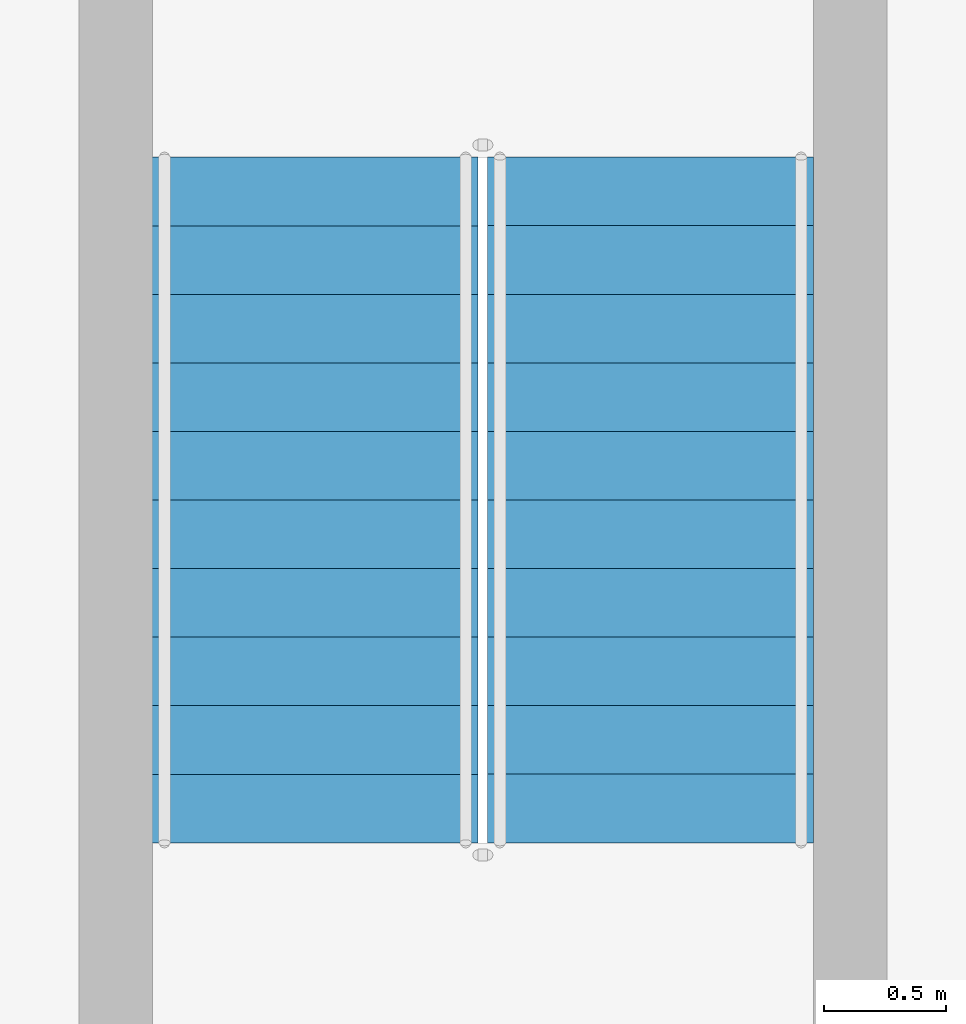
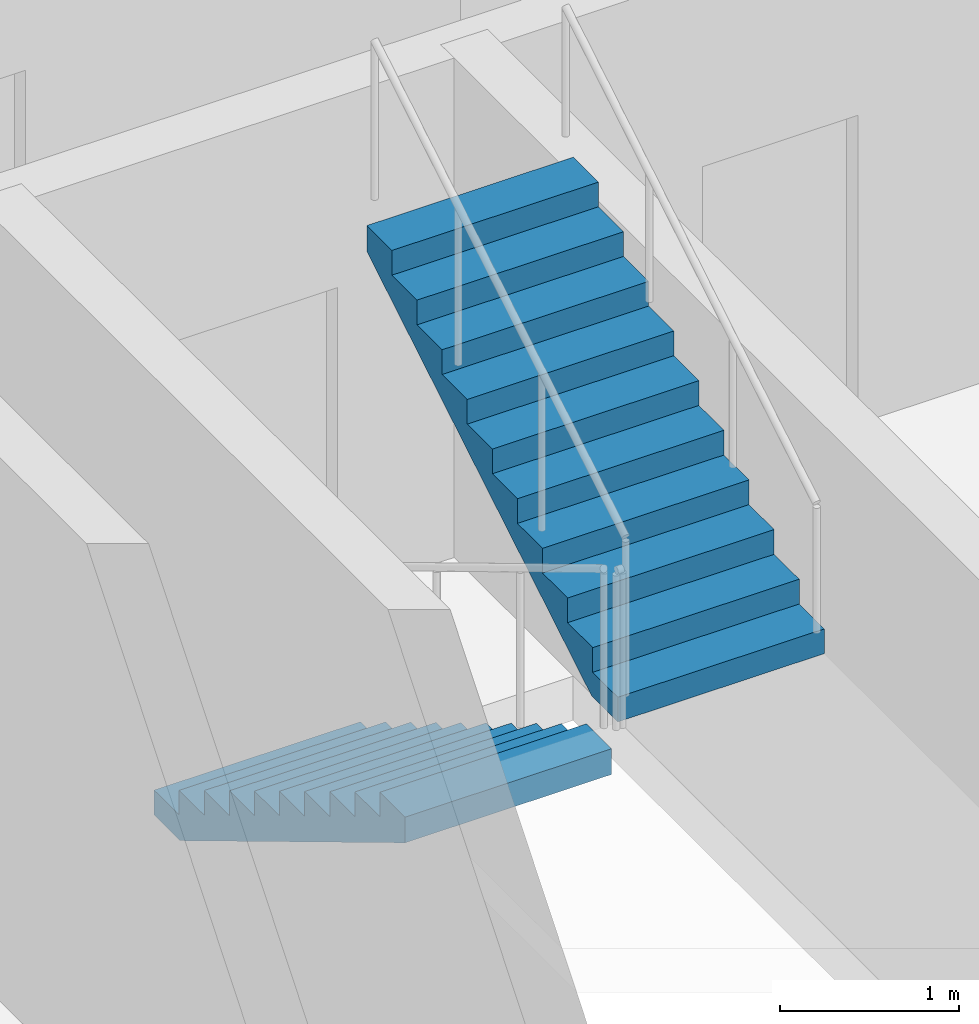
# One storey, part 17 of 20: 2 stair flights, 1 element without a shape of its own.
"""IFC4 building model written with IfcOpenShell, lengths in metres."""

from ifc_helpers import new_model, si_unit, direction, frame, origin, place, context, subcontext, project, spatial, triangles, source, transform, mapped, material, type_object, element, aggregate, save


model = new_model("IFC4")

# Units and contexts
model_context = context("Model", 3, precision=1e-05, world=origin(), true_north=direction((0.0, 1.0)))
body_context = subcontext(model_context, "Body", "Model", "MODEL_VIEW")
ifc_project = project(units=[si_unit("LENGTHUNIT", "METRE"), si_unit("AREAUNIT", "SQUARE_METRE"), si_unit("VOLUMEUNIT", "CUBIC_METRE"), si_unit("PLANEANGLEUNIT", "RADIAN"), si_unit("MASSUNIT", "GRAM", prefix="KILO")], contexts=[model_context])

# Site, building, storey
site_placement = place(None, origin())
site = spatial("IfcSite", under=ifc_project, at=site_placement, CompositionType="ELEMENT")
building_placement = place(site_placement, origin())
building = spatial("IfcBuilding", under=site, at=building_placement, Name="Ogive Portal Towers", CompositionType="ELEMENT")
storey_placement = place(building_placement, frame((0.0, 0.0, 210.60009765625)))
storey = spatial("IfcBuildingStorey", under=building, at=storey_placement, Name="L52", CompositionType="ELEMENT", Elevation=210.60009765625)

# Stair, stair flights
ifc_material = material(Name="Concrete C40/50", Category="concrete")
stair_type = type_object("IfcStairType", Name="INT-STAIR", PredefinedType="HALF_TURN_STAIR", material=ifc_material)
stair_placement = place(storey_placement, origin())
stair = element("IfcStair", 1, at=stair_placement, inside=storey, type_object=stair_type, Name="L52 Exit Stair ST-A4", PredefinedType="HALF_TURN_STAIR")
stair_flight_type = type_object("IfcStairFlightType", Name="INT-FLIGHT", PredefinedType="STRAIGHT", material=ifc_material)
shared_shape = source(origin(), body_context, "Body", "Tessellation", [
    triangles([(0.0, -0.6650390625, 0.0), (0.0, -0.384765625, 0.0), (0.0, -0.197021484375, 0.0), (0.0, -0.0830078125, 0.0), (0.0, -0.024658203125, 0.0), (0.0, -0.003173828125, 0.0), (0.0, 0.0, 0.0), (0.0, 0.003173828125, 0.0), (0.0, 0.024658203125, 0.0), (0.0, 0.0830078125, 0.0), (0.0, 0.197021484375, 0.0), (0.0, 0.384765625, 0.0), (0.0, 0.6650390625, 0.0), (0.0, -0.6650390625, 0.168212890625), (0.0, -0.384765625, 0.168212890625), (0.0, -0.197021484375, 0.168212890625), (0.0, -0.0830078125, 0.168212890625), (0.0, -0.024658203125, 0.168212890625), (0.0, -0.003173828125, 0.168212890625), (0.0, 0.0, 0.168212890625), (0.0, 0.003173828125, 0.168212890625), (0.0, 0.024658203125, 0.168212890625), (0.0, 0.0830078125, 0.168212890625), (0.0, 0.197021484375, 0.168212890625), (0.0, 0.384765625, 0.168212890625), (0.0, 0.6650390625, 0.168212890625), (0.280029296875, -0.6650390625, 0.168212890625), (0.280029296875, -0.384765625, 0.168212890625), (0.280029296875, -0.197021484375, 0.168212890625), (0.280029296875, -0.0830078125, 0.168212890625), (0.280029296875, -0.024658203125, 0.168212890625), (0.280029296875, -0.003173828125, 0.168212890625), (0.280029296875, 0.0, 0.168212890625), (0.280029296875, 0.003173828125, 0.168212890625), (0.280029296875, 0.024658203125, 0.168212890625), (0.280029296875, 0.0830078125, 0.168212890625), (0.280029296875, 0.197021484375, 0.168212890625), (0.280029296875, 0.384765625, 0.168212890625), (0.280029296875, 0.6650390625, 0.168212890625), (0.280029296875, -0.6650390625, 0.33642578125), (0.280029296875, -0.384765625, 0.33642578125), (0.280029296875, -0.197021484375, 0.33642578125), (0.280029296875, -0.0830078125, 0.33642578125), (0.280029296875, -0.024658203125, 0.33642578125), (0.280029296875, -0.003173828125, 0.33642578125), (0.280029296875, 0.0, 0.33642578125), (0.280029296875, 0.003173828125, 0.33642578125), (0.280029296875, 0.024658203125, 0.33642578125), (0.280029296875, 0.0830078125, 0.33642578125), (0.280029296875, 0.197021484375, 0.33642578125), (0.280029296875, 0.384765625, 0.33642578125), (0.280029296875, 0.6650390625, 0.33642578125), (0.56005859375, -0.6650390625, 0.33642578125), (0.56005859375, -0.384765625, 0.33642578125), (0.56005859375, -0.197021484375, 0.33642578125), (0.56005859375, -0.0830078125, 0.33642578125), (0.56005859375, -0.024658203125, 0.33642578125), (0.56005859375, -0.003173828125, 0.33642578125), (0.56005859375, 0.0, 0.33642578125), (0.56005859375, 0.003173828125, 0.33642578125), (0.56005859375, 0.024658203125, 0.33642578125), (0.56005859375, 0.0830078125, 0.33642578125), (0.56005859375, 0.197021484375, 0.33642578125), (0.56005859375, 0.384765625, 0.33642578125), (0.56005859375, 0.6650390625, 0.33642578125), (0.56005859375, -0.6650390625, 0.504638671875), (0.56005859375, -0.384765625, 0.504638671875), (0.56005859375, -0.197021484375, 0.504638671875), (0.56005859375, -0.0830078125, 0.504638671875), (0.56005859375, -0.024658203125, 0.504638671875), (0.56005859375, -0.003173828125, 0.504638671875), (0.56005859375, 0.0, 0.504638671875), (0.56005859375, 0.003173828125, 0.504638671875), (0.56005859375, 0.024658203125, 0.504638671875), (0.56005859375, 0.0830078125, 0.504638671875), (0.56005859375, 0.197021484375, 0.504638671875), (0.56005859375, 0.384765625, 0.504638671875), (0.56005859375, 0.6650390625, 0.504638671875), (0.840087890625, -0.6650390625, 0.504638671875), (0.840087890625, -0.384765625, 0.504638671875), (0.840087890625, -0.197021484375, 0.504638671875), (0.840087890625, -0.0830078125, 0.504638671875), (0.840087890625, -0.024658203125, 0.504638671875), (0.840087890625, -0.003173828125, 0.504638671875), (0.840087890625, 0.0, 0.504638671875), (0.840087890625, 0.003173828125, 0.504638671875), (0.840087890625, 0.024658203125, 0.504638671875), (0.840087890625, 0.0830078125, 0.504638671875), (0.840087890625, 0.197021484375, 0.504638671875), (0.840087890625, 0.384765625, 0.504638671875), (0.840087890625, 0.6650390625, 0.504638671875), (0.840087890625, -0.6650390625, 0.672607421875), (0.840087890625, -0.384765625, 0.672607421875), (0.840087890625, -0.197021484375, 0.672607421875), (0.840087890625, -0.0830078125, 0.672607421875), (0.840087890625, -0.024658203125, 0.672607421875), (0.840087890625, -0.003173828125, 0.672607421875), (0.840087890625, 0.0, 0.672607421875), (0.840087890625, 0.003173828125, 0.672607421875), (0.840087890625, 0.024658203125, 0.672607421875), (0.840087890625, 0.0830078125, 0.672607421875), (0.840087890625, 0.197021484375, 0.672607421875), (0.840087890625, 0.384765625, 0.672607421875), (0.840087890625, 0.6650390625, 0.672607421875), (1.1201171875, -0.6650390625, 0.672607421875), (1.1201171875, -0.384765625, 0.672607421875), (1.1201171875, -0.197021484375, 0.672607421875), (1.1201171875, -0.0830078125, 0.672607421875), (1.1201171875, -0.024658203125, 0.672607421875), (1.1201171875, -0.003173828125, 0.672607421875), (1.1201171875, 0.0, 0.672607421875), (1.1201171875, 0.003173828125, 0.672607421875), (1.1201171875, 0.024658203125, 0.672607421875), (1.1201171875, 0.0830078125, 0.672607421875), (1.1201171875, 0.197021484375, 0.672607421875), (1.1201171875, 0.384765625, 0.672607421875), (1.1201171875, 0.6650390625, 0.672607421875), (1.1201171875, -0.6650390625, 0.8408203125), (1.1201171875, -0.384765625, 0.8408203125), (1.1201171875, -0.197021484375, 0.8408203125), (1.1201171875, -0.0830078125, 0.8408203125), (1.1201171875, -0.024658203125, 0.8408203125), (1.1201171875, -0.003173828125, 0.8408203125), (1.1201171875, 0.0, 0.8408203125), (1.1201171875, 0.003173828125, 0.8408203125), (1.1201171875, 0.024658203125, 0.8408203125), (1.1201171875, 0.0830078125, 0.8408203125), (1.1201171875, 0.197021484375, 0.8408203125), (1.1201171875, 0.384765625, 0.8408203125), (1.1201171875, 0.6650390625, 0.8408203125), (1.39990234375, -0.6650390625, 0.8408203125), (1.39990234375, -0.384765625, 0.8408203125), (1.39990234375, -0.197021484375, 0.8408203125), (1.39990234375, -0.0830078125, 0.8408203125), (1.39990234375, -0.024658203125, 0.8408203125), (1.39990234375, -0.003173828125, 0.8408203125), (1.39990234375, 0.0, 0.8408203125), (1.39990234375, 0.003173828125, 0.8408203125), (1.39990234375, 0.024658203125, 0.8408203125), (1.39990234375, 0.0830078125, 0.8408203125), (1.39990234375, 0.197021484375, 0.8408203125), (1.39990234375, 0.384765625, 0.8408203125), (1.39990234375, 0.6650390625, 0.8408203125), (1.39990234375, -0.6650390625, 1.009033203125), (1.39990234375, -0.384765625, 1.009033203125), (1.39990234375, -0.197021484375, 1.009033203125), (1.39990234375, -0.0830078125, 1.009033203125), (1.39990234375, -0.024658203125, 1.009033203125), (1.39990234375, -0.003173828125, 1.009033203125), (1.39990234375, 0.0, 1.009033203125), (1.39990234375, 0.003173828125, 1.009033203125), (1.39990234375, 0.024658203125, 1.009033203125), (1.39990234375, 0.0830078125, 1.009033203125), (1.39990234375, 0.197021484375, 1.009033203125), (1.39990234375, 0.384765625, 1.009033203125), (1.39990234375, 0.6650390625, 1.009033203125), (1.679931640625, -0.6650390625, 1.009033203125), (1.679931640625, -0.384765625, 1.009033203125), (1.679931640625, -0.197021484375, 1.009033203125), (1.679931640625, -0.0830078125, 1.009033203125), (1.679931640625, -0.024658203125, 1.009033203125), (1.679931640625, -0.003173828125, 1.009033203125), (1.679931640625, 0.0, 1.009033203125), (1.679931640625, 0.003173828125, 1.009033203125), (1.679931640625, 0.024658203125, 1.009033203125), (1.679931640625, 0.0830078125, 1.009033203125), (1.679931640625, 0.197021484375, 1.009033203125), (1.679931640625, 0.384765625, 1.009033203125), (1.679931640625, 0.6650390625, 1.009033203125), (1.679931640625, -0.6650390625, 1.17724609375), (1.679931640625, -0.384765625, 1.17724609375), (1.679931640625, -0.197021484375, 1.17724609375), (1.679931640625, -0.0830078125, 1.17724609375), (1.679931640625, -0.024658203125, 1.17724609375), (1.679931640625, -0.003173828125, 1.17724609375), (1.679931640625, 0.0, 1.17724609375), (1.679931640625, 0.003173828125, 1.17724609375), (1.679931640625, 0.024658203125, 1.17724609375), (1.679931640625, 0.0830078125, 1.17724609375), (1.679931640625, 0.197021484375, 1.17724609375), (1.679931640625, 0.384765625, 1.17724609375), (1.679931640625, 0.6650390625, 1.17724609375), (1.9599609375, -0.6650390625, 1.17724609375), (1.9599609375, -0.384765625, 1.17724609375), (1.9599609375, -0.197021484375, 1.17724609375), (1.9599609375, -0.0830078125, 1.17724609375), (1.9599609375, -0.024658203125, 1.17724609375), (1.9599609375, -0.003173828125, 1.17724609375), (1.9599609375, 0.0, 1.17724609375), (1.9599609375, 0.003173828125, 1.17724609375), (1.9599609375, 0.024658203125, 1.17724609375), (1.9599609375, 0.0830078125, 1.17724609375), (1.9599609375, 0.197021484375, 1.17724609375), (1.9599609375, 0.384765625, 1.17724609375), (1.9599609375, 0.6650390625, 1.17724609375), (1.9599609375, -0.6650390625, 1.345458984375), (1.9599609375, -0.384765625, 1.345458984375), (1.9599609375, -0.197021484375, 1.345458984375), (1.9599609375, -0.0830078125, 1.345458984375), (1.9599609375, -0.024658203125, 1.345458984375), (1.9599609375, -0.003173828125, 1.345458984375), (1.9599609375, 0.0, 1.345458984375), (1.9599609375, 0.003173828125, 1.345458984375), (1.9599609375, 0.024658203125, 1.345458984375), (1.9599609375, 0.0830078125, 1.345458984375), (1.9599609375, 0.197021484375, 1.345458984375), (1.9599609375, 0.384765625, 1.345458984375), (1.9599609375, 0.6650390625, 1.345458984375), (2.239990234375, -0.6650390625, 1.345458984375), (2.239990234375, -0.384765625, 1.345458984375), (2.239990234375, -0.197021484375, 1.345458984375), (2.239990234375, -0.0830078125, 1.345458984375), (2.239990234375, -0.024658203125, 1.345458984375), (2.239990234375, -0.003173828125, 1.345458984375), (2.239990234375, 0.0, 1.345458984375), (2.239990234375, 0.003173828125, 1.345458984375), (2.239990234375, 0.024658203125, 1.345458984375), (2.239990234375, 0.0830078125, 1.345458984375), (2.239990234375, 0.197021484375, 1.345458984375), (2.239990234375, 0.384765625, 1.345458984375), (2.239990234375, 0.6650390625, 1.345458984375), (2.239990234375, -0.6650390625, 1.513671875), (2.239990234375, -0.384765625, 1.513671875), (2.239990234375, -0.197021484375, 1.513671875), (2.239990234375, -0.0830078125, 1.513671875), (2.239990234375, -0.024658203125, 1.513671875), (2.239990234375, -0.003173828125, 1.513671875), (2.239990234375, 0.0, 1.513671875), (2.239990234375, 0.003173828125, 1.513671875), (2.239990234375, 0.024658203125, 1.513671875), (2.239990234375, 0.0830078125, 1.513671875), (2.239990234375, 0.197021484375, 1.513671875), (2.239990234375, 0.384765625, 1.513671875), (2.239990234375, 0.6650390625, 1.513671875), (2.52001953125, -0.6650390625, 1.513671875), (2.52001953125, -0.384765625, 1.513671875), (2.52001953125, -0.197021484375, 1.513671875), (2.52001953125, -0.0830078125, 1.513671875), (2.52001953125, -0.024658203125, 1.513671875), (2.52001953125, -0.003173828125, 1.513671875), (2.52001953125, 0.0, 1.513671875), (2.52001953125, 0.003173828125, 1.513671875), (2.52001953125, 0.024658203125, 1.513671875), (2.52001953125, 0.0830078125, 1.513671875), (2.52001953125, 0.197021484375, 1.513671875), (2.52001953125, 0.384765625, 1.513671875), (2.52001953125, 0.6650390625, 1.513671875), (2.52001953125, -0.6650390625, 1.681884765625), (2.52001953125, -0.384765625, 1.681884765625), (2.52001953125, -0.197021484375, 1.681884765625), (2.52001953125, -0.0830078125, 1.681884765625), (2.52001953125, -0.024658203125, 1.681884765625), (2.52001953125, -0.003173828125, 1.681884765625), (2.52001953125, 0.0, 1.681884765625), (2.52001953125, 0.003173828125, 1.681884765625), (2.52001953125, 0.024658203125, 1.681884765625), (2.52001953125, 0.0830078125, 1.681884765625), (2.52001953125, 0.197021484375, 1.681884765625), (2.52001953125, 0.384765625, 1.681884765625), (2.52001953125, 0.6650390625, 1.681884765625), (2.800048828125, -0.6650390625, 1.681884765625), (2.800048828125, -0.384765625, 1.681884765625), (2.800048828125, -0.197021484375, 1.681884765625), (2.800048828125, -0.0830078125, 1.681884765625), (2.800048828125, -0.024658203125, 1.681884765625), (2.800048828125, -0.003173828125, 1.681884765625), (2.800048828125, 0.0, 1.681884765625), (2.800048828125, 0.003173828125, 1.681884765625), (2.800048828125, 0.024658203125, 1.681884765625), (2.800048828125, 0.0830078125, 1.681884765625), (2.800048828125, 0.197021484375, 1.681884765625), (2.800048828125, 0.384765625, 1.681884765625), (2.800048828125, 0.6650390625, 1.681884765625), (2.800048828125, -0.6650390625, 1.5068359375), (2.800048828125, -0.384765625, 1.5068359375), (2.800048828125, -0.197021484375, 1.5068359375), (2.800048828125, -0.0830078125, 1.5068359375), (2.800048828125, -0.024658203125, 1.5068359375), (2.800048828125, -0.003173828125, 1.5068359375), (2.800048828125, 0.0, 1.5068359375), (2.800048828125, 0.003173828125, 1.5068359375), (2.800048828125, 0.024658203125, 1.5068359375), (2.800048828125, 0.0830078125, 1.5068359375), (2.800048828125, 0.197021484375, 1.5068359375), (2.800048828125, 0.384765625, 1.5068359375), (2.800048828125, 0.6650390625, 1.5068359375), (0.291015625, -0.6650390625, 0.0), (0.291015625, -0.384765625, 0.0), (0.291015625, -0.197021484375, 0.0), (0.291015625, -0.0830078125, 0.0), (0.291015625, -0.024658203125, 0.0), (0.291015625, -0.003173828125, 0.0), (0.291015625, 0.0, 0.0), (0.291015625, 0.003173828125, 0.0), (0.291015625, 0.024658203125, 0.0), (0.291015625, 0.0830078125, 0.0), (0.291015625, 0.197021484375, 0.0), (0.291015625, 0.384765625, 0.0), (0.291015625, 0.6650390625, 0.0)], [[1, 14, 15], [1, 15, 2], [2, 15, 16], [2, 16, 3], [3, 16, 17], [3, 17, 4], [4, 17, 18], [4, 18, 5], [5, 18, 19], [5, 19, 6], [6, 19, 20], [6, 20, 7], [7, 20, 21], [7, 21, 8], [8, 21, 22], [8, 22, 9], [9, 22, 23], [9, 23, 10], [10, 23, 24], [10, 24, 11], [11, 24, 25], [11, 25, 12], [12, 25, 26], [12, 26, 13], [14, 27, 28], [14, 28, 15], [15, 28, 29], [15, 29, 16], [16, 29, 30], [16, 30, 17], [17, 30, 31], [17, 31, 18], [18, 31, 32], [18, 32, 19], [19, 32, 33], [19, 33, 20], [20, 33, 34], [20, 34, 21], [21, 34, 35], [21, 35, 22], [22, 35, 36], [22, 36, 23], [23, 36, 37], [23, 37, 24], [24, 37, 38], [24, 38, 25], [25, 38, 39], [25, 39, 26], [27, 40, 41], [27, 41, 28], [28, 41, 42], [28, 42, 29], [29, 42, 43], [29, 43, 30], [30, 43, 44], [30, 44, 31], [31, 44, 45], [31, 45, 32], [32, 45, 46], [32, 46, 33], [33, 46, 47], [33, 47, 34], [34, 47, 48], [34, 48, 35], [35, 48, 49], [35, 49, 36], [36, 49, 50], [36, 50, 37], [37, 50, 51], [37, 51, 38], [38, 51, 52], [38, 52, 39], [40, 53, 54], [40, 54, 41], [41, 54, 55], [41, 55, 42], [42, 55, 56], [42, 56, 43], [43, 56, 57], [43, 57, 44], [44, 57, 58], [44, 58, 45], [45, 58, 59], [45, 59, 46], [46, 59, 60], [46, 60, 47], [47, 60, 61], [47, 61, 48], [48, 61, 62], [48, 62, 49], [49, 62, 63], [49, 63, 50], [50, 63, 64], [50, 64, 51], [51, 64, 65], [51, 65, 52], [53, 66, 67], [53, 67, 54], [54, 67, 68], [54, 68, 55], [55, 68, 69], [55, 69, 56], [56, 69, 70], [56, 70, 57], [57, 70, 71], [57, 71, 58], [58, 71, 72], [58, 72, 59], [59, 72, 73], [59, 73, 60], [60, 73, 74], [60, 74, 61], [61, 74, 75], [61, 75, 62], [62, 75, 76], [62, 76, 63], [63, 76, 77], [63, 77, 64], [64, 77, 78], [64, 78, 65], [66, 79, 80], [66, 80, 67], [67, 80, 81], [67, 81, 68], [68, 81, 82], [68, 82, 69], [69, 82, 83], [69, 83, 70], [70, 83, 84], [70, 84, 71], [71, 84, 85], [71, 85, 72], [72, 85, 86], [72, 86, 73], [73, 86, 87], [73, 87, 74], [74, 87, 88], [74, 88, 75], [75, 88, 89], [75, 89, 76], [76, 89, 90], [76, 90, 77], [77, 90, 91], [77, 91, 78], [79, 92, 93], [79, 93, 80], [80, 93, 94], [80, 94, 81], [81, 94, 95], [81, 95, 82], [82, 95, 96], [82, 96, 83], [83, 96, 97], [83, 97, 84], [84, 97, 98], [84, 98, 85], [85, 98, 99], [85, 99, 86], [86, 99, 100], [86, 100, 87], [87, 100, 101], [87, 101, 88], [88, 101, 102], [88, 102, 89], [89, 102, 103], [89, 103, 90], [90, 103, 104], [90, 104, 91], [92, 105, 106], [92, 106, 93], [93, 106, 107], [93, 107, 94], [94, 107, 108], [94, 108, 95], [95, 108, 109], [95, 109, 96], [96, 109, 110], [96, 110, 97], [97, 110, 111], [97, 111, 98], [98, 111, 112], [98, 112, 99], [99, 112, 113], [99, 113, 100], [100, 113, 114], [100, 114, 101], [101, 114, 115], [101, 115, 102], [102, 115, 116], [102, 116, 103], [103, 116, 117], [103, 117, 104], [105, 118, 119], [105, 119, 106], [106, 119, 120], [106, 120, 107], [107, 120, 121], [107, 121, 108], [108, 121, 122], [108, 122, 109], [109, 122, 123], [109, 123, 110], [110, 123, 124], [110, 124, 111], [111, 124, 125], [111, 125, 112], [112, 125, 126], [112, 126, 113], [113, 126, 127], [113, 127, 114], [114, 127, 128], [114, 128, 115], [115, 128, 129], [115, 129, 116], [116, 129, 130], [116, 130, 117], [118, 131, 132], [118, 132, 119], [119, 132, 133], [119, 133, 120], [120, 133, 134], [120, 134, 121], [121, 134, 135], [121, 135, 122], [122, 135, 136], [122, 136, 123], [123, 136, 137], [123, 137, 124], [124, 137, 138], [124, 138, 125], [125, 138, 139], [125, 139, 126], [126, 139, 140], [126, 140, 127], [127, 140, 141], [127, 141, 128], [128, 141, 142], [128, 142, 129], [129, 142, 143], [129, 143, 130], [131, 144, 145], [131, 145, 132], [132, 145, 146], [132, 146, 133], [133, 146, 147], [133, 147, 134], [134, 147, 148], [134, 148, 135], [135, 148, 149], [135, 149, 136], [136, 149, 150], [136, 150, 137], [137, 150, 151], [137, 151, 138], [138, 151, 152], [138, 152, 139], [139, 152, 153], [139, 153, 140], [140, 153, 154], [140, 154, 141], [141, 154, 155], [141, 155, 142], [142, 155, 156], [142, 156, 143], [144, 157, 158], [144, 158, 145], [145, 158, 159], [145, 159, 146], [146, 159, 160], [146, 160, 147], [147, 160, 161], [147, 161, 148], [148, 161, 162], [148, 162, 149], [149, 162, 163], [149, 163, 150], [150, 163, 164], [150, 164, 151], [151, 164, 165], [151, 165, 152], [152, 165, 166], [152, 166, 153], [153, 166, 167], [153, 167, 154], [154, 167, 168], [154, 168, 155], [155, 168, 169], [155, 169, 156], [157, 170, 171], [157, 171, 158], [158, 171, 172], [158, 172, 159], [159, 172, 173], [159, 173, 160], [160, 173, 174], [160, 174, 161], [161, 174, 175], [161, 175, 162], [162, 175, 176], [162, 176, 163], [163, 176, 177], [163, 177, 164], [164, 177, 178], [164, 178, 165], [165, 178, 179], [165, 179, 166], [166, 179, 180], [166, 180, 167], [167, 180, 181], [167, 181, 168], [168, 181, 182], [168, 182, 169], [170, 183, 184], [170, 184, 171], [171, 184, 185], [171, 185, 172], [172, 185, 186], [172, 186, 173], [173, 186, 187], [173, 187, 174], [174, 187, 188], [174, 188, 175], [175, 188, 189], [175, 189, 176], [176, 189, 190], [176, 190, 177], [177, 190, 191], [177, 191, 178], [178, 191, 192], [178, 192, 179], [179, 192, 193], [179, 193, 180], [180, 193, 194], [180, 194, 181], [181, 194, 195], [181, 195, 182], [183, 196, 197], [183, 197, 184], [184, 197, 198], [184, 198, 185], [185, 198, 199], [185, 199, 186], [186, 199, 200], [186, 200, 187], [187, 200, 201], [187, 201, 188], [188, 201, 202], [188, 202, 189], [189, 202, 203], [189, 203, 190], [190, 203, 204], [190, 204, 191], [191, 204, 205], [191, 205, 192], [192, 205, 206], [192, 206, 193], [193, 206, 207], [193, 207, 194], [194, 207, 208], [194, 208, 195], [196, 209, 210], [196, 210, 197], [197, 210, 211], [197, 211, 198], [198, 211, 212], [198, 212, 199], [199, 212, 213], [199, 213, 200], [200, 213, 214], [200, 214, 201], [201, 214, 215], [201, 215, 202], [202, 215, 216], [202, 216, 203], [203, 216, 217], [203, 217, 204], [204, 217, 218], [204, 218, 205], [205, 218, 219], [205, 219, 206], [206, 219, 220], [206, 220, 207], [207, 220, 221], [207, 221, 208], [209, 222, 223], [209, 223, 210], [210, 223, 224], [210, 224, 211], [211, 224, 225], [211, 225, 212], [212, 225, 226], [212, 226, 213], [213, 226, 227], [213, 227, 214], [214, 227, 228], [214, 228, 215], [215, 228, 229], [215, 229, 216], [216, 229, 230], [216, 230, 217], [217, 230, 231], [217, 231, 218], [218, 231, 232], [218, 232, 219], [219, 232, 233], [219, 233, 220], [220, 233, 234], [220, 234, 221], [222, 235, 236], [222, 236, 223], [223, 236, 237], [223, 237, 224], [224, 237, 238], [224, 238, 225], [225, 238, 239], [225, 239, 226], [226, 239, 240], [226, 240, 227], [227, 240, 241], [227, 241, 228], [228, 241, 242], [228, 242, 229], [229, 242, 243], [229, 243, 230], [230, 243, 244], [230, 244, 231], [231, 244, 245], [231, 245, 232], [232, 245, 246], [232, 246, 233], [233, 246, 247], [233, 247, 234], [235, 248, 249], [235, 249, 236], [236, 249, 250], [236, 250, 237], [237, 250, 251], [237, 251, 238], [238, 251, 252], [238, 252, 239], [239, 252, 253], [239, 253, 240], [240, 253, 254], [240, 254, 241], [241, 254, 255], [241, 255, 242], [242, 255, 256], [242, 256, 243], [243, 256, 257], [243, 257, 244], [244, 257, 258], [244, 258, 245], [245, 258, 259], [245, 259, 246], [246, 259, 260], [246, 260, 247], [248, 261, 262], [248, 262, 249], [249, 262, 263], [249, 263, 250], [250, 263, 264], [250, 264, 251], [251, 264, 265], [251, 265, 252], [252, 265, 266], [252, 266, 253], [253, 266, 267], [253, 267, 254], [254, 267, 268], [254, 268, 255], [255, 268, 269], [255, 269, 256], [256, 269, 270], [256, 270, 257], [257, 270, 271], [257, 271, 258], [258, 271, 272], [258, 272, 259], [259, 272, 273], [259, 273, 260], [261, 274, 275], [261, 275, 262], [262, 275, 276], [262, 276, 263], [263, 276, 277], [263, 277, 264], [264, 277, 278], [264, 278, 265], [265, 278, 279], [265, 279, 266], [266, 279, 280], [266, 280, 267], [267, 280, 281], [267, 281, 268], [268, 281, 282], [268, 282, 269], [269, 282, 283], [269, 283, 270], [270, 283, 284], [270, 284, 271], [271, 284, 285], [271, 285, 272], [272, 285, 286], [272, 286, 273], [274, 287, 288], [274, 288, 275], [275, 288, 289], [275, 289, 276], [276, 289, 290], [276, 290, 277], [277, 290, 291], [277, 291, 278], [278, 291, 292], [278, 292, 279], [279, 292, 293], [279, 293, 280], [280, 293, 294], [280, 294, 281], [281, 294, 295], [281, 295, 282], [282, 295, 296], [282, 296, 283], [283, 296, 297], [283, 297, 284], [284, 297, 298], [284, 298, 285], [285, 298, 299], [285, 299, 286], [287, 1, 2], [287, 2, 288], [288, 2, 3], [288, 3, 289], [289, 3, 4], [289, 4, 290], [290, 4, 5], [290, 5, 291], [291, 5, 6], [291, 6, 292], [292, 6, 7], [292, 7, 293], [293, 7, 8], [293, 8, 294], [294, 8, 9], [294, 9, 295], [295, 9, 10], [295, 10, 296], [296, 10, 11], [296, 11, 297], [297, 11, 12], [297, 12, 298], [298, 12, 13], [298, 13, 299], [1, 287, 274], [13, 286, 299], [274, 261, 248], [286, 260, 273], [274, 248, 235], [286, 247, 260], [274, 235, 222], [286, 234, 247], [274, 222, 209], [286, 221, 234], [209, 196, 183], [221, 195, 208], [274, 209, 183], [286, 195, 221], [183, 170, 157], [195, 169, 182], [274, 183, 157], [286, 169, 195], [157, 144, 131], [169, 143, 156], [274, 157, 131], [286, 143, 169], [131, 118, 105], [143, 117, 130], [274, 131, 105], [286, 117, 143], [1, 274, 105], [13, 117, 286], [105, 92, 79], [117, 91, 104], [79, 66, 53], [91, 65, 78], [105, 79, 53], [117, 65, 91], [53, 40, 27], [65, 39, 52], [105, 53, 27], [117, 39, 65], [1, 105, 27], [13, 39, 117], [27, 14, 1], [39, 13, 26]], closed=True),
])
stair_flight_1_placement = place(storey_placement, frame((87.6650390625, 29.169921875, 0.0), z_axis=(0.0, 0.0, 1.0), x_axis=(0.0, -1.0, 0.0)))
stair_flight_1 = element("IfcStairFlight", 2, at=stair_flight_1_placement, type_object=stair_flight_type, Name="ST-A4 flight 1", NumberOfRisers=11, NumberOfTreads=10, PredefinedType="STRAIGHT", RiserHeight=0.168181818, TreadLength=0.28, context=body_context, shape_type="MappedRepresentation", body=[
    mapped(shared_shape, transform((0.0, 0.0, 0.0), scale=1.0)),
])
stair_flight_2_placement = place(storey_placement, frame((89.034912109375, 26.3701171875, 1.849853515625), z_axis=(0.0, 0.0, 1.0), x_axis=(0.0, 1.0, 0.0)))
stair_flight_2 = element("IfcStairFlight", 3, at=stair_flight_2_placement, type_object=stair_flight_type, Name="ST-A4 flight 2", NumberOfRisers=11, NumberOfTreads=10, PredefinedType="STRAIGHT", RiserHeight=0.168181818, TreadLength=0.28, context=body_context, shape_type="MappedRepresentation", body=[
    mapped(shared_shape, transform((0.0, 0.0, 0.0), scale=1.0)),
])
aggregate(stair, [stair_flight_1, stair_flight_2])

save(model, "model.ifc")
